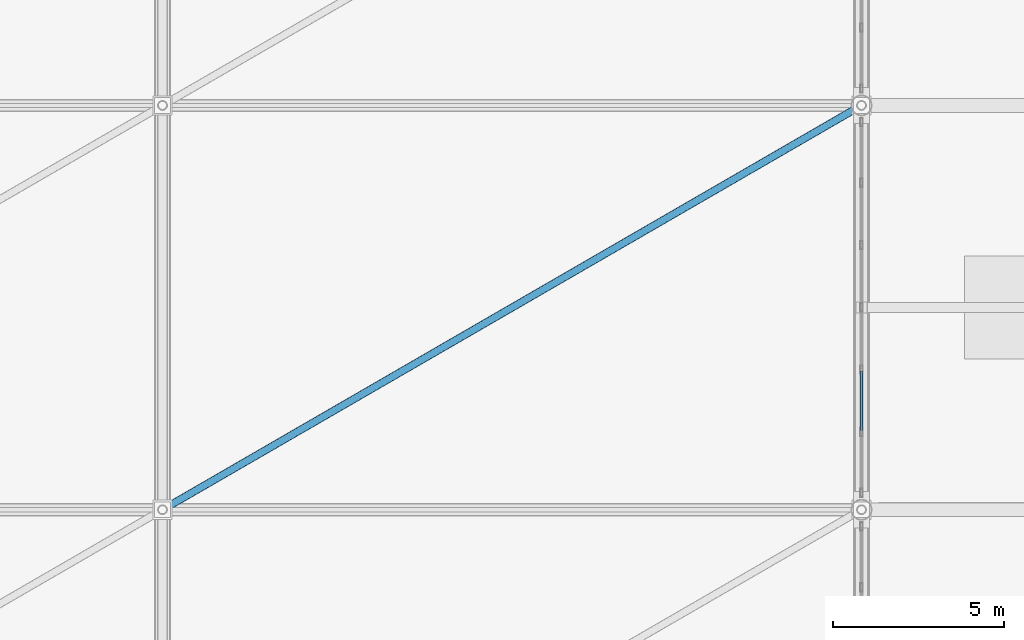
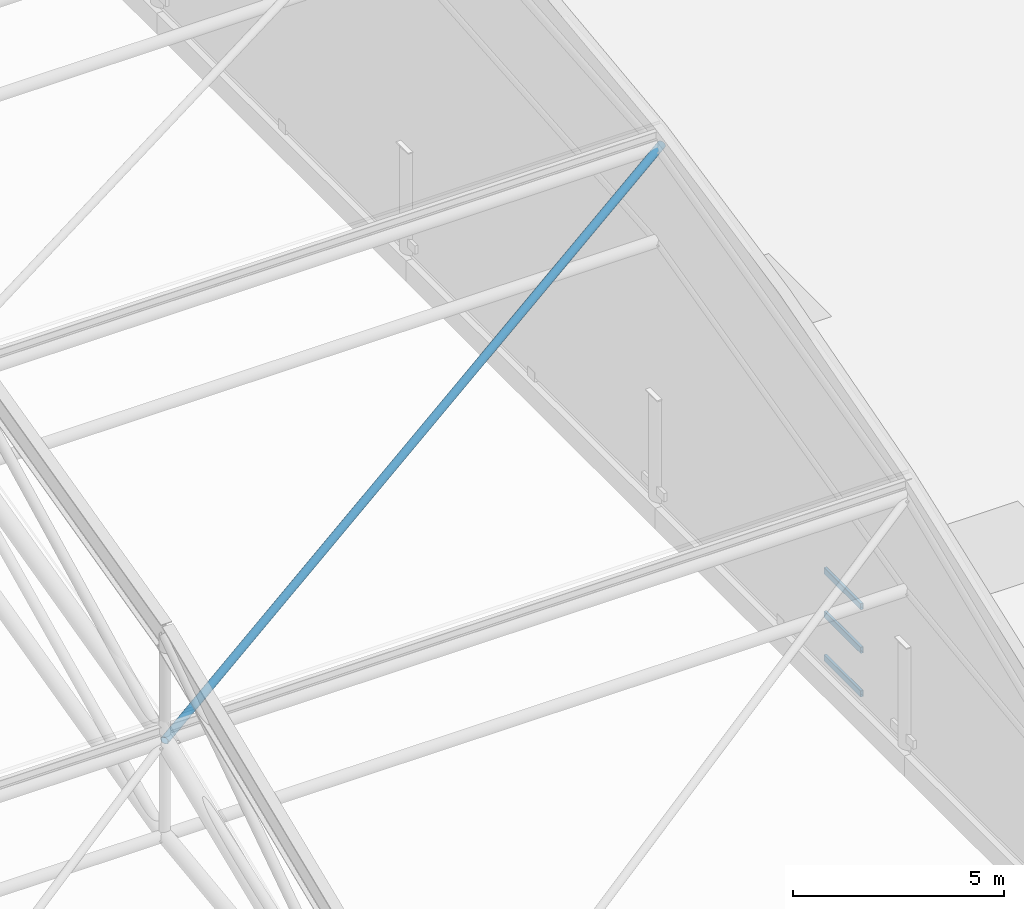
# One storey, part 49 of 135: 4 members, 1 element without a shape of its own.
"""IFC4 building model written with IfcOpenShell, lengths in metres."""

from ifc_helpers import new_model, si_unit, direction, frame, origin, origin_2d, place, context, subcontext, project, spatial, hollow_rectangle, hollow_circle, extrude, material, material_profile, profile_set, type_object, element, aggregate, save


model = new_model("IFC4")

# Units and contexts
model_context = context("Model", 3, precision=1e-05, world=origin(), true_north=direction((0.0, 1.0)))
body_context = subcontext(model_context, "Body", "Model", "MODEL_VIEW")
ifc_project = project(units=[si_unit("LENGTHUNIT", "METRE"), si_unit("AREAUNIT", "SQUARE_METRE"), si_unit("VOLUMEUNIT", "CUBIC_METRE"), si_unit("PLANEANGLEUNIT", "RADIAN"), si_unit("MASSUNIT", "GRAM", prefix="KILO")], contexts=[model_context])

# Site, building, storey
site_placement = place(None, origin())
site = spatial("IfcSite", under=ifc_project, at=site_placement, CompositionType="ELEMENT")
building_placement = place(site_placement, origin())
building = spatial("IfcBuilding", under=site, at=building_placement, Name="Brelvane Convention Centre", CompositionType="ELEMENT")
storey_placement = place(building_placement, frame((0.0, 0.0, 15.0)))
storey = spatial("IfcBuildingStorey", under=building, at=storey_placement, Name="L03", CompositionType="ELEMENT", Elevation=15.0)

# Curtain wall, members
ifc_material_1 = material(Name="Anodised Aluminium Alloy 6063-T6", Category="aluminium")
curtain_wall_type = type_object("IfcCurtainWallType", Name="Curtain Wall CW-HULL-N", PredefinedType="USERDEFINED", material=ifc_material_1)
curtain_wall_placement = place(storey_placement, origin())
curtain_wall = element("IfcCurtainWall", 1, at=curtain_wall_placement, inside=storey, type_object=curtain_wall_type, Name="Curtain Wall CW-HULL-N L03-EXH-E-CLER-2", ObjectType="UNITISED", PredefinedType="USERDEFINED")
ifc_material_2 = material(Name="Anodised Aluminium Alloy 6063-T6", Category="aluminium")
ifc_material_profile_1 = material_profile(ifc_material_2, hollow_rectangle(XDim=0.080078125, YDim=0.179931640625, WallThickness=0.0048828125, InnerFilletRadius=0.0048828125, OuterFilletRadius=0.010009765625, at=origin_2d()), Name="ALU-T 180x80x5.0")
ifc_profile_set_1 = profile_set([ifc_material_profile_1], Name="Anodised Aluminium Alloy 6063-T6")
member_type_1 = type_object("IfcMemberType", Name="Curtain Transom CW-T1", PredefinedType="USERDEFINED", material=ifc_profile_set_1)
member_1_placement = place(storey_placement, frame((142.800048828125, 42.90673828125, 0.0400390625), z_axis=(0.0, 1.0, 0.0), x_axis=(-1.0, 0.0, 0.0)))
member_1 = element("IfcMember", 2, at=member_1_placement, type_object=member_type_1, Name="CW-HULL-N transom 2.1", ObjectType="TRANSOM", PredefinedType="USERDEFINED", context=body_context, shape_type="SweptSolid", body=[
    extrude(hollow_rectangle(XDim=0.080078125, YDim=0.179931640625, WallThickness=0.0048828125, InnerFilletRadius=0.0048828125, OuterFilletRadius=0.010009765625, at=origin_2d()), origin(), (0.0, 0.0, 1.0), 1.736572265625),
])
member_2_placement = place(storey_placement, frame((142.800048828125, 42.90673828125, 1.300048828125), z_axis=(0.0, 1.0, 0.0), x_axis=(-1.0, 0.0, 0.0)))
member_2 = element("IfcMember", 3, at=member_2_placement, type_object=member_type_1, Name="CW-HULL-N transom 2.2", ObjectType="TRANSOM", PredefinedType="USERDEFINED", context=body_context, shape_type="SweptSolid", body=[
    extrude(hollow_rectangle(XDim=0.080078125, YDim=0.179931640625, WallThickness=0.0048828125, InnerFilletRadius=0.0048828125, OuterFilletRadius=0.010009765625, at=origin_2d()), origin(), (0.0, 0.0, 1.0), 1.736572265625),
])
member_3_placement = place(storey_placement, frame((142.800048828125, 42.90673828125, 2.56005859375), z_axis=(0.0, 1.0, 0.0), x_axis=(-1.0, 0.0, 0.0)))
member_3 = element("IfcMember", 4, at=member_3_placement, type_object=member_type_1, Name="CW-HULL-N transom 2.3", ObjectType="TRANSOM", PredefinedType="USERDEFINED", context=body_context, shape_type="SweptSolid", body=[
    extrude(hollow_rectangle(XDim=0.080078125, YDim=0.179931640625, WallThickness=0.0048828125, InnerFilletRadius=0.0048828125, OuterFilletRadius=0.010009765625, at=origin_2d()), origin(), (0.0, 0.0, 1.0), 1.736572265625),
])
aggregate(curtain_wall, [member_1, member_2, member_3])

# Member
ifc_material_3 = material(Name="Steel E350 (350 MPa)", Category="steel")
ifc_material_profile_2 = material_profile(ifc_material_3, hollow_circle(Radius=0.109619140625, WallThickness=0.010009765625, at=origin_2d()), Name="CHS 219.1x10.0")
ifc_profile_set_2 = profile_set([ifc_material_profile_2], Name="Steel E350 (350 MPa)")
member_type_2 = type_object("IfcMemberType", Name="Steel Brace SF-DG2 (CHS 219.1x10.0)", PredefinedType="BRACE", material=ifc_profile_set_2)
member_4_placement = place(storey_placement, frame((122.39990234375, 40.60009765625, 7.22900390625), z_axis=(0.858997719832, 0.496859438181, 0.123505530297), x_axis=(-0.500692800372, 0.865625045649, 0.0)))
element("IfcMember", 5, at=member_4_placement, inside=storey, type_object=member_type_2, Name="SF_EXH Roof Diaphragm Brace PB7.2", PredefinedType="BRACE", context=body_context, shape_type="SweptSolid", body=[
    extrude(hollow_circle(Radius=0.109619140625, WallThickness=0.010009765625, at=origin_2d()), origin(), (0.0, 0.0, 1.0), 23.748779296875),
])

save(model, "model.ifc")
